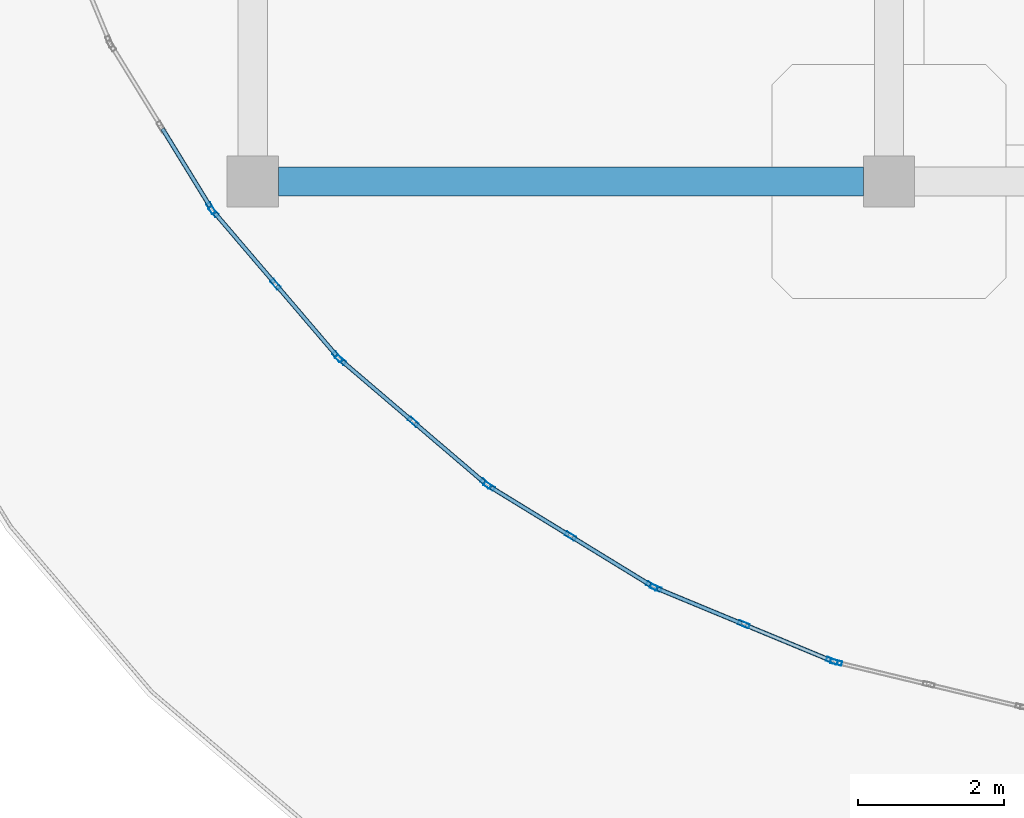
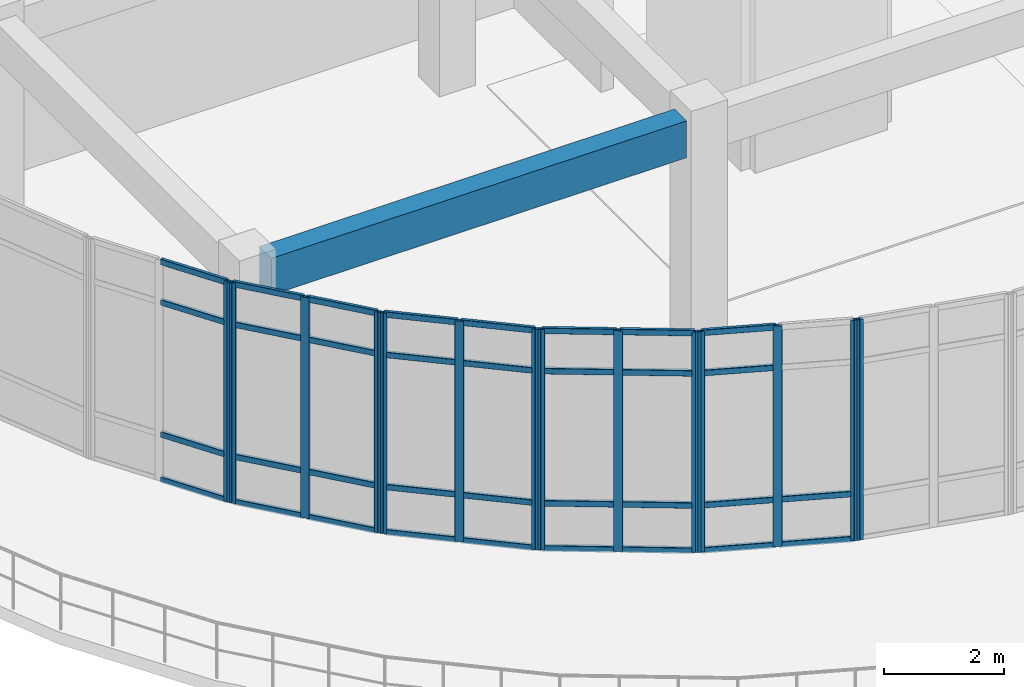
# One storey, part 4 of 64: 48 members, 1 beam, 6 elements without a shape of their own.
"""IFC4 building model written with IfcOpenShell, lengths in metres."""

from ifc_helpers import new_model, si_unit, derived_unit, direction, frame, origin, origin_2d, place, context, subcontext, project, spatial, rectangle, hollow_rectangle, extrude, material, layer, layer_set, material_profile, profile_set, type_object, element, aggregate, save


model = new_model("IFC4")

# Units and contexts
model_context = context("Model", 3, precision=1e-05, world=origin(), true_north=direction((0.0, 1.0)))
body_context = subcontext(model_context, "Body", "Model", "MODEL_VIEW")
ifc_project = project(units=[si_unit("LENGTHUNIT", "METRE"), si_unit("AREAUNIT", "SQUARE_METRE"), si_unit("VOLUMEUNIT", "CUBIC_METRE"), si_unit("PLANEANGLEUNIT", "RADIAN"), si_unit("MASSUNIT", "GRAM", prefix="KILO"), derived_unit("THERMALTRANSMITTANCEUNIT", [(si_unit("MASSUNIT", "GRAM", prefix="KILO"), 1), (si_unit("TIMEUNIT", "SECOND"), -3), (si_unit("THERMODYNAMICTEMPERATUREUNIT", "KELVIN"), -1)])], contexts=[model_context])

# Site, building, storey
site_placement = place(None, origin())
site = spatial("IfcSite", under=ifc_project, at=site_placement, CompositionType="ELEMENT")
building_placement = place(site_placement, origin())
building = spatial("IfcBuilding", under=site, at=building_placement, Name="Qinzheling Arcade Emporium", CompositionType="ELEMENT")
storey_placement = place(building_placement, frame((0.0, 0.0, 31.5)))
storey = spatial("IfcBuildingStorey", under=building, at=storey_placement, Name="L07", CompositionType="ELEMENT", Elevation=31.5)

# Curtain wall, member
ifc_material_1 = material(Name="Anodised aluminium and solar-control double glazing", Category="aluminium")
ifc_layer = layer(ifc_material_1, 0.159912109375, Name="Anodised aluminium and solar-control double glazing", Category="aluminium")
ifc_layer_set = layer_set([ifc_layer], Name="Anodised aluminium and solar-control double glazing")
curtain_wall_type = type_object("IfcCurtainWallType", Name="Curved Ribbon Sales Curtain Wall", PredefinedType="NOTDEFINED", material=ifc_layer_set)
curtain_wall_1_placement = place(storey_placement, origin())
curtain_wall_1 = element("IfcCurtainWall", 1, at=curtain_wall_1_placement, inside=storey, type_object=curtain_wall_type, Name="Curtain Wall CW-L07-402", PredefinedType="NOTDEFINED")
ifc_material_2 = material(Name="Anodised aluminium 6063-T6", Category="aluminium")
ifc_material_profile_1 = material_profile(ifc_material_2, hollow_rectangle(XDim=0.06005859375, YDim=0.159912109375, WallThickness=0.00390625, InnerFilletRadius=0.00390625, OuterFilletRadius=0.008056640625, at=origin_2d()), Name="RHS 160x60x4", Category="aluminium")
ifc_profile_set_1 = profile_set([ifc_material_profile_1], Name="Anodised aluminium 6063-T6")
member_type_1 = type_object("IfcMemberType", Name="Curtain Wall Mullion RHS160x60", PredefinedType="MULLION", material=ifc_profile_set_1)
member_1_placement = place(storey_placement, frame((25.376220703125, 18.625, 0.0), z_axis=(0.0, 0.0, 1.0), x_axis=(-0.233528898914, -0.97234986161, 0.0)))
member_1 = element("IfcMember", 2, at=member_1_placement, type_object=member_type_1, Name="CW02 mullion 3", PredefinedType="MULLION", context=body_context, shape_type="SweptSolid", body=[
    extrude(hollow_rectangle(XDim=0.06005859375, YDim=0.159912109375, WallThickness=0.00390625, InnerFilletRadius=0.00390625, OuterFilletRadius=0.008056640625, at=origin_2d()), origin(), (0.0, 0.0, 1.0), 4.489990234375),
])
aggregate(curtain_wall_1, [member_1])

# Curtain wall, members
curtain_wall_2_placement = place(storey_placement, origin())
curtain_wall_2 = element("IfcCurtainWall", 3, at=curtain_wall_2_placement, inside=storey, type_object=curtain_wall_type, Name="Curtain Wall CW-L07-403", PredefinedType="NOTDEFINED")
member_2_placement = place(storey_placement, frame((25.3193359375, 18.6435546875, 0.0), z_axis=(0.0, 0.0, 1.0), x_axis=(-0.382671777518, -0.923884360021, 0.0)))
member_2 = element("IfcMember", 4, at=member_2_placement, type_object=member_type_1, Name="CW02 mullion 1", PredefinedType="MULLION", context=body_context, shape_type="SweptSolid", body=[
    extrude(hollow_rectangle(XDim=0.06005859375, YDim=0.159912109375, WallThickness=0.00390625, InnerFilletRadius=0.00390625, OuterFilletRadius=0.008056640625, at=origin_2d()), origin(), (0.0, 0.0, 1.0), 4.489990234375),
])
member_3_placement = place(storey_placement, frame((24.114501953125, 19.142578125, 0.0), z_axis=(0.0, 0.0, 1.0), x_axis=(-0.382671777518, -0.923884360021, 0.0)))
member_3 = element("IfcMember", 5, at=member_3_placement, type_object=member_type_1, Name="CW02 mullion 2", PredefinedType="MULLION", context=body_context, shape_type="SweptSolid", body=[
    extrude(hollow_rectangle(XDim=0.06005859375, YDim=0.159912109375, WallThickness=0.00390625, InnerFilletRadius=0.00390625, OuterFilletRadius=0.008056640625, at=origin_2d()), origin(), (0.0, 0.0, 1.0), 4.489990234375),
])
member_4_placement = place(storey_placement, frame((22.90966796875, 19.6416015625, 0.0), z_axis=(0.0, 0.0, 1.0), x_axis=(-0.382671777518, -0.923884360021, 0.0)))
member_4 = element("IfcMember", 6, at=member_4_placement, type_object=member_type_1, Name="CW02 mullion 3", PredefinedType="MULLION", context=body_context, shape_type="SweptSolid", body=[
    extrude(hollow_rectangle(XDim=0.06005859375, YDim=0.159912109375, WallThickness=0.00390625, InnerFilletRadius=0.00390625, OuterFilletRadius=0.008056640625, at=origin_2d()), origin(), (0.0, 0.0, 1.0), 4.489990234375),
])

curtain_wall_3_placement = place(storey_placement, origin())
curtain_wall_3 = element("IfcCurtainWall", 7, at=curtain_wall_3_placement, inside=storey, type_object=curtain_wall_type, Name="Curtain Wall CW-L07-404", PredefinedType="NOTDEFINED")
member_5_placement = place(storey_placement, frame((22.8564453125, 19.668701171875, 0.0), z_axis=(0.0, 0.0, 1.0), x_axis=(-0.522632388284, -0.852558142719, 0.0)))
member_5 = element("IfcMember", 8, at=member_5_placement, type_object=member_type_1, Name="CW02 mullion 1", PredefinedType="MULLION", context=body_context, shape_type="SweptSolid", body=[
    extrude(hollow_rectangle(XDim=0.06005859375, YDim=0.159912109375, WallThickness=0.00390625, InnerFilletRadius=0.00390625, OuterFilletRadius=0.008056640625, at=origin_2d()), origin(), (0.0, 0.0, 1.0), 4.489990234375),
])
member_6_placement = place(storey_placement, frame((21.7451171875, 20.35009765625, 0.0), z_axis=(0.0, 0.0, 1.0), x_axis=(-0.522632388284, -0.852558142719, 0.0)))
member_6 = element("IfcMember", 9, at=member_6_placement, type_object=member_type_1, Name="CW02 mullion 2", PredefinedType="MULLION", context=body_context, shape_type="SweptSolid", body=[
    extrude(hollow_rectangle(XDim=0.06005859375, YDim=0.159912109375, WallThickness=0.00390625, InnerFilletRadius=0.00390625, OuterFilletRadius=0.008056640625, at=origin_2d()), origin(), (0.0, 0.0, 1.0), 4.489990234375),
])
member_7_placement = place(storey_placement, frame((20.633544921875, 21.03125, 0.0), z_axis=(0.0, 0.0, 1.0), x_axis=(-0.522632388284, -0.852558142719, 0.0)))
member_7 = element("IfcMember", 10, at=member_7_placement, type_object=member_type_1, Name="CW02 mullion 3", PredefinedType="MULLION", context=body_context, shape_type="SweptSolid", body=[
    extrude(hollow_rectangle(XDim=0.06005859375, YDim=0.159912109375, WallThickness=0.00390625, InnerFilletRadius=0.00390625, OuterFilletRadius=0.008056640625, at=origin_2d()), origin(), (0.0, 0.0, 1.0), 4.489990234375),
])

curtain_wall_4_placement = place(storey_placement, origin())
curtain_wall_4 = element("IfcCurtainWall", 11, at=curtain_wall_4_placement, inside=storey, type_object=curtain_wall_type, Name="Curtain Wall CW-L07-405", PredefinedType="NOTDEFINED")
member_8_placement = place(storey_placement, frame((20.585205078125, 21.06640625, 0.0), z_axis=(0.0, 0.0, 1.0), x_axis=(-0.649246513655, -0.760578046296, 0.0)))
member_8 = element("IfcMember", 12, at=member_8_placement, type_object=member_type_1, Name="CW02 mullion 1", PredefinedType="MULLION", context=body_context, shape_type="SweptSolid", body=[
    extrude(hollow_rectangle(XDim=0.06005859375, YDim=0.159912109375, WallThickness=0.00390625, InnerFilletRadius=0.00390625, OuterFilletRadius=0.008056640625, at=origin_2d()), origin(), (0.0, 0.0, 1.0), 4.489990234375),
])
member_9_placement = place(storey_placement, frame((19.593505859375, 21.9130859375, 0.0), z_axis=(0.0, 0.0, 1.0), x_axis=(-0.649246513655, -0.760578046296, 0.0)))
member_9 = element("IfcMember", 13, at=member_9_placement, type_object=member_type_1, Name="CW02 mullion 2", PredefinedType="MULLION", context=body_context, shape_type="SweptSolid", body=[
    extrude(hollow_rectangle(XDim=0.06005859375, YDim=0.159912109375, WallThickness=0.00390625, InnerFilletRadius=0.00390625, OuterFilletRadius=0.008056640625, at=origin_2d()), origin(), (0.0, 0.0, 1.0), 4.489990234375),
])
member_10_placement = place(storey_placement, frame((18.601806640625, 22.759521484375, 0.0), z_axis=(0.0, 0.0, 1.0), x_axis=(-0.649246513655, -0.760578046296, 0.0)))
member_10 = element("IfcMember", 14, at=member_10_placement, type_object=member_type_1, Name="CW02 mullion 3", PredefinedType="MULLION", context=body_context, shape_type="SweptSolid", body=[
    extrude(hollow_rectangle(XDim=0.06005859375, YDim=0.159912109375, WallThickness=0.00390625, InnerFilletRadius=0.00390625, OuterFilletRadius=0.008056640625, at=origin_2d()), origin(), (0.0, 0.0, 1.0), 4.489990234375),
])

curtain_wall_5_placement = place(storey_placement, origin())
curtain_wall_5 = element("IfcCurtainWall", 15, at=curtain_wall_5_placement, inside=storey, type_object=curtain_wall_type, Name="Curtain Wall CW-L07-406", PredefinedType="NOTDEFINED")
member_11_placement = place(storey_placement, frame((18.5595703125, 22.8017578125, 0.0), z_axis=(0.0, 0.0, 1.0), x_axis=(-0.760578046296, -0.649246513655, 0.0)))
member_11 = element("IfcMember", 16, at=member_11_placement, type_object=member_type_1, Name="CW02 mullion 1", PredefinedType="MULLION", context=body_context, shape_type="SweptSolid", body=[
    extrude(hollow_rectangle(XDim=0.06005859375, YDim=0.159912109375, WallThickness=0.00390625, InnerFilletRadius=0.00390625, OuterFilletRadius=0.008056640625, at=origin_2d()), origin(), (0.0, 0.0, 1.0), 4.489990234375),
])
member_12_placement = place(storey_placement, frame((17.712890625, 23.79345703125, 0.0), z_axis=(0.0, 0.0, 1.0), x_axis=(-0.760578046296, -0.649246513655, 0.0)))
member_12 = element("IfcMember", 17, at=member_12_placement, type_object=member_type_1, Name="CW02 mullion 2", PredefinedType="MULLION", context=body_context, shape_type="SweptSolid", body=[
    extrude(hollow_rectangle(XDim=0.06005859375, YDim=0.159912109375, WallThickness=0.00390625, InnerFilletRadius=0.00390625, OuterFilletRadius=0.008056640625, at=origin_2d()), origin(), (0.0, 0.0, 1.0), 4.489990234375),
])
member_13_placement = place(storey_placement, frame((16.866455078125, 24.78515625, 0.0), z_axis=(0.0, 0.0, 1.0), x_axis=(-0.760578046296, -0.649246513655, 0.0)))
member_13 = element("IfcMember", 18, at=member_13_placement, type_object=member_type_1, Name="CW02 mullion 3", PredefinedType="MULLION", context=body_context, shape_type="SweptSolid", body=[
    extrude(hollow_rectangle(XDim=0.06005859375, YDim=0.159912109375, WallThickness=0.00390625, InnerFilletRadius=0.00390625, OuterFilletRadius=0.008056640625, at=origin_2d()), origin(), (0.0, 0.0, 1.0), 4.489990234375),
])

# Curtain wall, member
curtain_wall_6_placement = place(storey_placement, origin())
curtain_wall_6 = element("IfcCurtainWall", 19, at=curtain_wall_6_placement, inside=storey, type_object=curtain_wall_type, Name="Curtain Wall CW-L07-407", PredefinedType="NOTDEFINED")
member_14_placement = place(storey_placement, frame((16.831298828125, 24.83349609375, 0.0), z_axis=(0.0, 0.0, 1.0), x_axis=(-0.852558142719, -0.522632388284, 0.0)))
member_14 = element("IfcMember", 20, at=member_14_placement, type_object=member_type_1, Name="CW02 mullion 1", PredefinedType="MULLION", context=body_context, shape_type="SweptSolid", body=[
    extrude(hollow_rectangle(XDim=0.06005859375, YDim=0.159912109375, WallThickness=0.00390625, InnerFilletRadius=0.00390625, OuterFilletRadius=0.008056640625, at=origin_2d()), origin(), (0.0, 0.0, 1.0), 4.489990234375),
])

# Member
ifc_material_profile_2 = material_profile(ifc_material_2, hollow_rectangle(XDim=0.06005859375, YDim=0.1201171875, WallThickness=0.00390625, InnerFilletRadius=0.00390625, OuterFilletRadius=0.008056640625, at=origin_2d()), Name="RHS 120x60x4", Category="aluminium")
ifc_profile_set_2 = profile_set([ifc_material_profile_2], Name="Anodised aluminium 6063-T6")
member_type_2 = type_object("IfcMemberType", Name="Curtain Wall Transom RHS120x60", PredefinedType="USERDEFINED", material=ifc_profile_set_2)
member_15_placement = place(storey_placement, frame((25.29150390625, 18.655029296875, 0.030029296875), z_axis=(-0.923858937936, 0.382733148285, 0.0), x_axis=(-0.382733148285, -0.923858937936, 0.0)))
member_15 = element("IfcMember", 21, at=member_15_placement, type_object=member_type_2, Name="CW02 transom 1.1", ObjectType="TRANSOM", PredefinedType="USERDEFINED", context=body_context, shape_type="SweptSolid", body=[
    extrude(hollow_rectangle(XDim=0.06005859375, YDim=0.1201171875, WallThickness=0.00390625, InnerFilletRadius=0.00390625, OuterFilletRadius=0.008056640625, at=origin_2d()), origin(), (0.0, 0.0, 1.0), 1.243896484375),
])

member_16_placement = place(storey_placement, frame((25.29150390625, 18.655029296875, 0.949951171875), z_axis=(-0.923858937936, 0.382733148285, 0.0), x_axis=(-0.382733148285, -0.923858937936, 0.0)))
member_16 = element("IfcMember", 22, at=member_16_placement, type_object=member_type_2, Name="CW02 transom 1.2", ObjectType="TRANSOM", PredefinedType="USERDEFINED", context=body_context, shape_type="SweptSolid", body=[
    extrude(hollow_rectangle(XDim=0.06005859375, YDim=0.1201171875, WallThickness=0.00390625, InnerFilletRadius=0.00390625, OuterFilletRadius=0.008056640625, at=origin_2d()), origin(), (0.0, 0.0, 1.0), 1.243896484375),
])

member_17_placement = place(storey_placement, frame((24.086669921875, 19.154052734375, 0.030029296875), z_axis=(-0.923858937936, 0.382733148285, 0.0), x_axis=(-0.382733148285, -0.923858937936, 0.0)))
member_17 = element("IfcMember", 23, at=member_17_placement, type_object=member_type_2, Name="CW02 transom 2.1", ObjectType="TRANSOM", PredefinedType="USERDEFINED", context=body_context, shape_type="SweptSolid", body=[
    extrude(hollow_rectangle(XDim=0.06005859375, YDim=0.1201171875, WallThickness=0.00390625, InnerFilletRadius=0.00390625, OuterFilletRadius=0.008056640625, at=origin_2d()), origin(), (0.0, 0.0, 1.0), 1.243896484375),
])

member_18_placement = place(storey_placement, frame((24.086669921875, 19.154052734375, 0.949951171875), z_axis=(-0.923858937936, 0.382733148285, 0.0), x_axis=(-0.382733148285, -0.923858937936, 0.0)))
member_18 = element("IfcMember", 24, at=member_18_placement, type_object=member_type_2, Name="CW02 transom 2.2", ObjectType="TRANSOM", PredefinedType="USERDEFINED", context=body_context, shape_type="SweptSolid", body=[
    extrude(hollow_rectangle(XDim=0.06005859375, YDim=0.1201171875, WallThickness=0.00390625, InnerFilletRadius=0.00390625, OuterFilletRadius=0.008056640625, at=origin_2d()), origin(), (0.0, 0.0, 1.0), 1.243896484375),
])

member_19_placement = place(storey_placement, frame((24.086669921875, 19.154052734375, 3.639892578125), z_axis=(-0.923858937936, 0.382733148285, 0.0), x_axis=(-0.382733148285, -0.923858937936, 0.0)))
member_19 = element("IfcMember", 25, at=member_19_placement, type_object=member_type_2, Name="CW02 transom 2.3", ObjectType="TRANSOM", PredefinedType="USERDEFINED", context=body_context, shape_type="SweptSolid", body=[
    extrude(hollow_rectangle(XDim=0.06005859375, YDim=0.1201171875, WallThickness=0.00390625, InnerFilletRadius=0.00390625, OuterFilletRadius=0.008056640625, at=origin_2d()), origin(), (0.0, 0.0, 1.0), 1.243896484375),
])

member_20_placement = place(storey_placement, frame((24.086669921875, 19.154052734375, 4.4599609375), z_axis=(-0.923858937936, 0.382733148285, 0.0), x_axis=(-0.382733148285, -0.923858937936, 0.0)))
member_20 = element("IfcMember", 26, at=member_20_placement, type_object=member_type_2, Name="CW02 transom 2.4", ObjectType="TRANSOM", PredefinedType="USERDEFINED", context=body_context, shape_type="SweptSolid", body=[
    extrude(hollow_rectangle(XDim=0.06005859375, YDim=0.1201171875, WallThickness=0.00390625, InnerFilletRadius=0.00390625, OuterFilletRadius=0.008056640625, at=origin_2d()), origin(), (0.0, 0.0, 1.0), 1.243896484375),
])

aggregate(curtain_wall_2, [member_2, member_3, member_4, member_15, member_16, member_17, member_18, member_19, member_20])

member_21_placement = place(storey_placement, frame((22.830810546875, 19.684326171875, 0.030029296875), z_axis=(-0.852587144891, 0.522585074764, 0.0), x_axis=(-0.522585074764, -0.852587144891, 0.0)))
member_21 = element("IfcMember", 27, at=member_21_placement, type_object=member_type_2, Name="CW02 transom 1.1", ObjectType="TRANSOM", PredefinedType="USERDEFINED", context=body_context, shape_type="SweptSolid", body=[
    extrude(hollow_rectangle(XDim=0.06005859375, YDim=0.1201171875, WallThickness=0.00390625, InnerFilletRadius=0.00390625, OuterFilletRadius=0.008056640625, at=origin_2d()), origin(), (0.0, 0.0, 1.0), 1.24365234375),
])

member_22_placement = place(storey_placement, frame((22.830810546875, 19.684326171875, 0.949951171875), z_axis=(-0.852587144891, 0.522585074764, 0.0), x_axis=(-0.522585074764, -0.852587144891, 0.0)))
member_22 = element("IfcMember", 28, at=member_22_placement, type_object=member_type_2, Name="CW02 transom 1.2", ObjectType="TRANSOM", PredefinedType="USERDEFINED", context=body_context, shape_type="SweptSolid", body=[
    extrude(hollow_rectangle(XDim=0.06005859375, YDim=0.1201171875, WallThickness=0.00390625, InnerFilletRadius=0.00390625, OuterFilletRadius=0.008056640625, at=origin_2d()), origin(), (0.0, 0.0, 1.0), 1.24365234375),
])

member_23_placement = place(storey_placement, frame((22.830810546875, 19.684326171875, 3.639892578125), z_axis=(-0.852587144891, 0.522585074764, 0.0), x_axis=(-0.522585074764, -0.852587144891, 0.0)))
member_23 = element("IfcMember", 29, at=member_23_placement, type_object=member_type_2, Name="CW02 transom 1.3", ObjectType="TRANSOM", PredefinedType="USERDEFINED", context=body_context, shape_type="SweptSolid", body=[
    extrude(hollow_rectangle(XDim=0.06005859375, YDim=0.1201171875, WallThickness=0.00390625, InnerFilletRadius=0.00390625, OuterFilletRadius=0.008056640625, at=origin_2d()), origin(), (0.0, 0.0, 1.0), 1.24365234375),
])

member_24_placement = place(storey_placement, frame((22.830810546875, 19.684326171875, 4.4599609375), z_axis=(-0.852587144891, 0.522585074764, 0.0), x_axis=(-0.522585074764, -0.852587144891, 0.0)))
member_24 = element("IfcMember", 30, at=member_24_placement, type_object=member_type_2, Name="CW02 transom 1.4", ObjectType="TRANSOM", PredefinedType="USERDEFINED", context=body_context, shape_type="SweptSolid", body=[
    extrude(hollow_rectangle(XDim=0.06005859375, YDim=0.1201171875, WallThickness=0.00390625, InnerFilletRadius=0.00390625, OuterFilletRadius=0.008056640625, at=origin_2d()), origin(), (0.0, 0.0, 1.0), 1.24365234375),
])

member_25_placement = place(storey_placement, frame((21.719482421875, 20.36572265625, 0.030029296875), z_axis=(-0.852587144891, 0.522585074764, 0.0), x_axis=(-0.522585074764, -0.852587144891, 0.0)))
member_25 = element("IfcMember", 31, at=member_25_placement, type_object=member_type_2, Name="CW02 transom 2.1", ObjectType="TRANSOM", PredefinedType="USERDEFINED", context=body_context, shape_type="SweptSolid", body=[
    extrude(hollow_rectangle(XDim=0.06005859375, YDim=0.1201171875, WallThickness=0.00390625, InnerFilletRadius=0.00390625, OuterFilletRadius=0.008056640625, at=origin_2d()), origin(), (0.0, 0.0, 1.0), 1.24365234375),
])

member_26_placement = place(storey_placement, frame((21.719482421875, 20.36572265625, 0.949951171875), z_axis=(-0.852587144891, 0.522585074764, 0.0), x_axis=(-0.522585074764, -0.852587144891, 0.0)))
member_26 = element("IfcMember", 32, at=member_26_placement, type_object=member_type_2, Name="CW02 transom 2.2", ObjectType="TRANSOM", PredefinedType="USERDEFINED", context=body_context, shape_type="SweptSolid", body=[
    extrude(hollow_rectangle(XDim=0.06005859375, YDim=0.1201171875, WallThickness=0.00390625, InnerFilletRadius=0.00390625, OuterFilletRadius=0.008056640625, at=origin_2d()), origin(), (0.0, 0.0, 1.0), 1.24365234375),
])

member_27_placement = place(storey_placement, frame((21.719482421875, 20.36572265625, 3.639892578125), z_axis=(-0.852587144891, 0.522585074764, 0.0), x_axis=(-0.522585074764, -0.852587144891, 0.0)))
member_27 = element("IfcMember", 33, at=member_27_placement, type_object=member_type_2, Name="CW02 transom 2.3", ObjectType="TRANSOM", PredefinedType="USERDEFINED", context=body_context, shape_type="SweptSolid", body=[
    extrude(hollow_rectangle(XDim=0.06005859375, YDim=0.1201171875, WallThickness=0.00390625, InnerFilletRadius=0.00390625, OuterFilletRadius=0.008056640625, at=origin_2d()), origin(), (0.0, 0.0, 1.0), 1.24365234375),
])

member_28_placement = place(storey_placement, frame((21.719482421875, 20.36572265625, 4.4599609375), z_axis=(-0.852587144891, 0.522585074764, 0.0), x_axis=(-0.522585074764, -0.852587144891, 0.0)))
member_28 = element("IfcMember", 34, at=member_28_placement, type_object=member_type_2, Name="CW02 transom 2.4", ObjectType="TRANSOM", PredefinedType="USERDEFINED", context=body_context, shape_type="SweptSolid", body=[
    extrude(hollow_rectangle(XDim=0.06005859375, YDim=0.1201171875, WallThickness=0.00390625, InnerFilletRadius=0.00390625, OuterFilletRadius=0.008056640625, at=origin_2d()), origin(), (0.0, 0.0, 1.0), 1.24365234375),
])

aggregate(curtain_wall_3, [member_5, member_6, member_7, member_21, member_22, member_23, member_24, member_25, member_26, member_27, member_28])

member_29_placement = place(storey_placement, frame((20.562255859375, 21.0859375, 0.030029296875), z_axis=(-0.760557410397, 0.649270687379, 0.0), x_axis=(-0.649270687379, -0.760557410397, 0.0)))
member_29 = element("IfcMember", 35, at=member_29_placement, type_object=member_type_2, Name="CW02 transom 1.1", ObjectType="TRANSOM", PredefinedType="USERDEFINED", context=body_context, shape_type="SweptSolid", body=[
    extrude(hollow_rectangle(XDim=0.06005859375, YDim=0.1201171875, WallThickness=0.00390625, InnerFilletRadius=0.00390625, OuterFilletRadius=0.008056640625, at=origin_2d()), origin(), (0.0, 0.0, 1.0), 1.243896484375),
])

member_30_placement = place(storey_placement, frame((20.562255859375, 21.0859375, 0.949951171875), z_axis=(-0.760557410397, 0.649270687379, 0.0), x_axis=(-0.649270687379, -0.760557410397, 0.0)))
member_30 = element("IfcMember", 36, at=member_30_placement, type_object=member_type_2, Name="CW02 transom 1.2", ObjectType="TRANSOM", PredefinedType="USERDEFINED", context=body_context, shape_type="SweptSolid", body=[
    extrude(hollow_rectangle(XDim=0.06005859375, YDim=0.1201171875, WallThickness=0.00390625, InnerFilletRadius=0.00390625, OuterFilletRadius=0.008056640625, at=origin_2d()), origin(), (0.0, 0.0, 1.0), 1.243896484375),
])

member_31_placement = place(storey_placement, frame((20.562255859375, 21.0859375, 3.639892578125), z_axis=(-0.760557410397, 0.649270687379, 0.0), x_axis=(-0.649270687379, -0.760557410397, 0.0)))
member_31 = element("IfcMember", 37, at=member_31_placement, type_object=member_type_2, Name="CW02 transom 1.3", ObjectType="TRANSOM", PredefinedType="USERDEFINED", context=body_context, shape_type="SweptSolid", body=[
    extrude(hollow_rectangle(XDim=0.06005859375, YDim=0.1201171875, WallThickness=0.00390625, InnerFilletRadius=0.00390625, OuterFilletRadius=0.008056640625, at=origin_2d()), origin(), (0.0, 0.0, 1.0), 1.243896484375),
])

member_32_placement = place(storey_placement, frame((20.562255859375, 21.0859375, 4.4599609375), z_axis=(-0.760557410397, 0.649270687379, 0.0), x_axis=(-0.649270687379, -0.760557410397, 0.0)))
member_32 = element("IfcMember", 38, at=member_32_placement, type_object=member_type_2, Name="CW02 transom 1.4", ObjectType="TRANSOM", PredefinedType="USERDEFINED", context=body_context, shape_type="SweptSolid", body=[
    extrude(hollow_rectangle(XDim=0.06005859375, YDim=0.1201171875, WallThickness=0.00390625, InnerFilletRadius=0.00390625, OuterFilletRadius=0.008056640625, at=origin_2d()), origin(), (0.0, 0.0, 1.0), 1.243896484375),
])

member_33_placement = place(storey_placement, frame((19.57080078125, 21.932373046875, 0.030029296875), z_axis=(-0.760557410397, 0.649270687379, 0.0), x_axis=(-0.649270687379, -0.760557410397, 0.0)))
member_33 = element("IfcMember", 39, at=member_33_placement, type_object=member_type_2, Name="CW02 transom 2.1", ObjectType="TRANSOM", PredefinedType="USERDEFINED", context=body_context, shape_type="SweptSolid", body=[
    extrude(hollow_rectangle(XDim=0.06005859375, YDim=0.1201171875, WallThickness=0.00390625, InnerFilletRadius=0.00390625, OuterFilletRadius=0.008056640625, at=origin_2d()), origin(), (0.0, 0.0, 1.0), 1.243896484375),
])

member_34_placement = place(storey_placement, frame((19.57080078125, 21.932373046875, 0.949951171875), z_axis=(-0.760557410397, 0.649270687379, 0.0), x_axis=(-0.649270687379, -0.760557410397, 0.0)))
member_34 = element("IfcMember", 40, at=member_34_placement, type_object=member_type_2, Name="CW02 transom 2.2", ObjectType="TRANSOM", PredefinedType="USERDEFINED", context=body_context, shape_type="SweptSolid", body=[
    extrude(hollow_rectangle(XDim=0.06005859375, YDim=0.1201171875, WallThickness=0.00390625, InnerFilletRadius=0.00390625, OuterFilletRadius=0.008056640625, at=origin_2d()), origin(), (0.0, 0.0, 1.0), 1.243896484375),
])

member_35_placement = place(storey_placement, frame((19.57080078125, 21.932373046875, 3.639892578125), z_axis=(-0.760557410397, 0.649270687379, 0.0), x_axis=(-0.649270687379, -0.760557410397, 0.0)))
member_35 = element("IfcMember", 41, at=member_35_placement, type_object=member_type_2, Name="CW02 transom 2.3", ObjectType="TRANSOM", PredefinedType="USERDEFINED", context=body_context, shape_type="SweptSolid", body=[
    extrude(hollow_rectangle(XDim=0.06005859375, YDim=0.1201171875, WallThickness=0.00390625, InnerFilletRadius=0.00390625, OuterFilletRadius=0.008056640625, at=origin_2d()), origin(), (0.0, 0.0, 1.0), 1.243896484375),
])

member_36_placement = place(storey_placement, frame((19.57080078125, 21.932373046875, 4.4599609375), z_axis=(-0.760557410397, 0.649270687379, 0.0), x_axis=(-0.649270687379, -0.760557410397, 0.0)))
member_36 = element("IfcMember", 42, at=member_36_placement, type_object=member_type_2, Name="CW02 transom 2.4", ObjectType="TRANSOM", PredefinedType="USERDEFINED", context=body_context, shape_type="SweptSolid", body=[
    extrude(hollow_rectangle(XDim=0.06005859375, YDim=0.1201171875, WallThickness=0.00390625, InnerFilletRadius=0.00390625, OuterFilletRadius=0.008056640625, at=origin_2d()), origin(), (0.0, 0.0, 1.0), 1.243896484375),
])

aggregate(curtain_wall_4, [member_8, member_9, member_10, member_29, member_30, member_31, member_32, member_33, member_34, member_35, member_36])

member_37_placement = place(storey_placement, frame((18.5400390625, 22.82470703125, 0.030029296875), z_axis=(-0.649270687379, 0.760557410397, 0.0), x_axis=(-0.760557410397, -0.649270687379, 0.0)))
member_37 = element("IfcMember", 43, at=member_37_placement, type_object=member_type_2, Name="CW02 transom 1.1", ObjectType="TRANSOM", PredefinedType="USERDEFINED", context=body_context, shape_type="SweptSolid", body=[
    extrude(hollow_rectangle(XDim=0.06005859375, YDim=0.1201171875, WallThickness=0.00390625, InnerFilletRadius=0.00390625, OuterFilletRadius=0.008056640625, at=origin_2d()), origin(), (0.0, 0.0, 1.0), 1.243896484375),
])

member_38_placement = place(storey_placement, frame((18.5400390625, 22.82470703125, 0.949951171875), z_axis=(-0.649270687379, 0.760557410397, 0.0), x_axis=(-0.760557410397, -0.649270687379, 0.0)))
member_38 = element("IfcMember", 44, at=member_38_placement, type_object=member_type_2, Name="CW02 transom 1.2", ObjectType="TRANSOM", PredefinedType="USERDEFINED", context=body_context, shape_type="SweptSolid", body=[
    extrude(hollow_rectangle(XDim=0.06005859375, YDim=0.1201171875, WallThickness=0.00390625, InnerFilletRadius=0.00390625, OuterFilletRadius=0.008056640625, at=origin_2d()), origin(), (0.0, 0.0, 1.0), 1.243896484375),
])

member_39_placement = place(storey_placement, frame((18.5400390625, 22.82470703125, 3.639892578125), z_axis=(-0.649270687379, 0.760557410397, 0.0), x_axis=(-0.760557410397, -0.649270687379, 0.0)))
member_39 = element("IfcMember", 45, at=member_39_placement, type_object=member_type_2, Name="CW02 transom 1.3", ObjectType="TRANSOM", PredefinedType="USERDEFINED", context=body_context, shape_type="SweptSolid", body=[
    extrude(hollow_rectangle(XDim=0.06005859375, YDim=0.1201171875, WallThickness=0.00390625, InnerFilletRadius=0.00390625, OuterFilletRadius=0.008056640625, at=origin_2d()), origin(), (0.0, 0.0, 1.0), 1.243896484375),
])

member_40_placement = place(storey_placement, frame((18.5400390625, 22.82470703125, 4.4599609375), z_axis=(-0.649270687379, 0.760557410397, 0.0), x_axis=(-0.760557410397, -0.649270687379, 0.0)))
member_40 = element("IfcMember", 46, at=member_40_placement, type_object=member_type_2, Name="CW02 transom 1.4", ObjectType="TRANSOM", PredefinedType="USERDEFINED", context=body_context, shape_type="SweptSolid", body=[
    extrude(hollow_rectangle(XDim=0.06005859375, YDim=0.1201171875, WallThickness=0.00390625, InnerFilletRadius=0.00390625, OuterFilletRadius=0.008056640625, at=origin_2d()), origin(), (0.0, 0.0, 1.0), 1.243896484375),
])

member_41_placement = place(storey_placement, frame((17.693603515625, 23.81640625, 0.030029296875), z_axis=(-0.649270687379, 0.760557410397, 0.0), x_axis=(-0.760557410397, -0.649270687379, 0.0)))
member_41 = element("IfcMember", 47, at=member_41_placement, type_object=member_type_2, Name="CW02 transom 2.1", ObjectType="TRANSOM", PredefinedType="USERDEFINED", context=body_context, shape_type="SweptSolid", body=[
    extrude(hollow_rectangle(XDim=0.06005859375, YDim=0.1201171875, WallThickness=0.00390625, InnerFilletRadius=0.00390625, OuterFilletRadius=0.008056640625, at=origin_2d()), origin(), (0.0, 0.0, 1.0), 1.243896484375),
])

member_42_placement = place(storey_placement, frame((17.693603515625, 23.81640625, 0.949951171875), z_axis=(-0.649270687379, 0.760557410397, 0.0), x_axis=(-0.760557410397, -0.649270687379, 0.0)))
member_42 = element("IfcMember", 48, at=member_42_placement, type_object=member_type_2, Name="CW02 transom 2.2", ObjectType="TRANSOM", PredefinedType="USERDEFINED", context=body_context, shape_type="SweptSolid", body=[
    extrude(hollow_rectangle(XDim=0.06005859375, YDim=0.1201171875, WallThickness=0.00390625, InnerFilletRadius=0.00390625, OuterFilletRadius=0.008056640625, at=origin_2d()), origin(), (0.0, 0.0, 1.0), 1.243896484375),
])

member_43_placement = place(storey_placement, frame((17.693603515625, 23.81640625, 3.639892578125), z_axis=(-0.649270687379, 0.760557410397, 0.0), x_axis=(-0.760557410397, -0.649270687379, 0.0)))
member_43 = element("IfcMember", 49, at=member_43_placement, type_object=member_type_2, Name="CW02 transom 2.3", ObjectType="TRANSOM", PredefinedType="USERDEFINED", context=body_context, shape_type="SweptSolid", body=[
    extrude(hollow_rectangle(XDim=0.06005859375, YDim=0.1201171875, WallThickness=0.00390625, InnerFilletRadius=0.00390625, OuterFilletRadius=0.008056640625, at=origin_2d()), origin(), (0.0, 0.0, 1.0), 1.243896484375),
])

member_44_placement = place(storey_placement, frame((17.693603515625, 23.81640625, 4.4599609375), z_axis=(-0.649270687379, 0.760557410397, 0.0), x_axis=(-0.760557410397, -0.649270687379, 0.0)))
member_44 = element("IfcMember", 50, at=member_44_placement, type_object=member_type_2, Name="CW02 transom 2.4", ObjectType="TRANSOM", PredefinedType="USERDEFINED", context=body_context, shape_type="SweptSolid", body=[
    extrude(hollow_rectangle(XDim=0.06005859375, YDim=0.1201171875, WallThickness=0.00390625, InnerFilletRadius=0.00390625, OuterFilletRadius=0.008056640625, at=origin_2d()), origin(), (0.0, 0.0, 1.0), 1.243896484375),
])

aggregate(curtain_wall_5, [member_11, member_12, member_13, member_37, member_38, member_39, member_40, member_41, member_42, member_43, member_44])

member_45_placement = place(storey_placement, frame((16.815673828125, 24.859130859375, 0.030029296875), z_axis=(-0.522585074764, 0.852587144891, 0.0), x_axis=(-0.852587144891, -0.522585074764, 0.0)))
member_45 = element("IfcMember", 51, at=member_45_placement, type_object=member_type_2, Name="CW02 transom 1.1", ObjectType="TRANSOM", PredefinedType="USERDEFINED", context=body_context, shape_type="SweptSolid", body=[
    extrude(hollow_rectangle(XDim=0.06005859375, YDim=0.1201171875, WallThickness=0.00390625, InnerFilletRadius=0.00390625, OuterFilletRadius=0.008056640625, at=origin_2d()), origin(), (0.0, 0.0, 1.0), 1.24365234375),
])

member_46_placement = place(storey_placement, frame((16.815673828125, 24.859130859375, 0.949951171875), z_axis=(-0.522585074764, 0.852587144891, 0.0), x_axis=(-0.852587144891, -0.522585074764, 0.0)))
member_46 = element("IfcMember", 52, at=member_46_placement, type_object=member_type_2, Name="CW02 transom 1.2", ObjectType="TRANSOM", PredefinedType="USERDEFINED", context=body_context, shape_type="SweptSolid", body=[
    extrude(hollow_rectangle(XDim=0.06005859375, YDim=0.1201171875, WallThickness=0.00390625, InnerFilletRadius=0.00390625, OuterFilletRadius=0.008056640625, at=origin_2d()), origin(), (0.0, 0.0, 1.0), 1.24365234375),
])

member_47_placement = place(storey_placement, frame((16.815673828125, 24.859130859375, 3.639892578125), z_axis=(-0.522585074764, 0.852587144891, 0.0), x_axis=(-0.852587144891, -0.522585074764, 0.0)))
member_47 = element("IfcMember", 53, at=member_47_placement, type_object=member_type_2, Name="CW02 transom 1.3", ObjectType="TRANSOM", PredefinedType="USERDEFINED", context=body_context, shape_type="SweptSolid", body=[
    extrude(hollow_rectangle(XDim=0.06005859375, YDim=0.1201171875, WallThickness=0.00390625, InnerFilletRadius=0.00390625, OuterFilletRadius=0.008056640625, at=origin_2d()), origin(), (0.0, 0.0, 1.0), 1.24365234375),
])

member_48_placement = place(storey_placement, frame((16.815673828125, 24.859130859375, 4.4599609375), z_axis=(-0.522585074764, 0.852587144891, 0.0), x_axis=(-0.852587144891, -0.522585074764, 0.0)))
member_48 = element("IfcMember", 54, at=member_48_placement, type_object=member_type_2, Name="CW02 transom 1.4", ObjectType="TRANSOM", PredefinedType="USERDEFINED", context=body_context, shape_type="SweptSolid", body=[
    extrude(hollow_rectangle(XDim=0.06005859375, YDim=0.1201171875, WallThickness=0.00390625, InnerFilletRadius=0.00390625, OuterFilletRadius=0.008056640625, at=origin_2d()), origin(), (0.0, 0.0, 1.0), 1.24365234375),
])

aggregate(curtain_wall_6, [member_14, member_45, member_46, member_47, member_48])

# Beam
ifc_material_3 = material(Name="Concrete C40", Category="concrete")
ifc_material_profile_3 = material_profile(ifc_material_3, rectangle(XDim=0.39990234375, YDim=0.75, at=origin_2d()), Name="RC 400x750", Category="concrete")
ifc_profile_set_3 = profile_set([ifc_material_profile_3], Name="Concrete C40")
beam_type = type_object("IfcBeamType", Name="RC Interior Tie Beam 400x750 C40", PredefinedType="BEAM", material=ifc_profile_set_3)
beam_placement = place(storey_placement, frame((17.75, 25.199951171875, 4.14501953125), z_axis=(1.0, 0.0, 0.0), x_axis=(0.0, 1.0, 0.0)))
element("IfcBeam", 55, at=beam_placement, inside=storey, type_object=beam_type, Name="Beam BM-L07-X-D-3", PredefinedType="BEAM", context=body_context, shape_type="SweptSolid", body=[
    extrude(rectangle(XDim=0.39990234375, YDim=0.75, at=origin_2d()), origin(), (0.0, 0.0, 1.0), 8.0),
])

save(model, "model.ifc")
